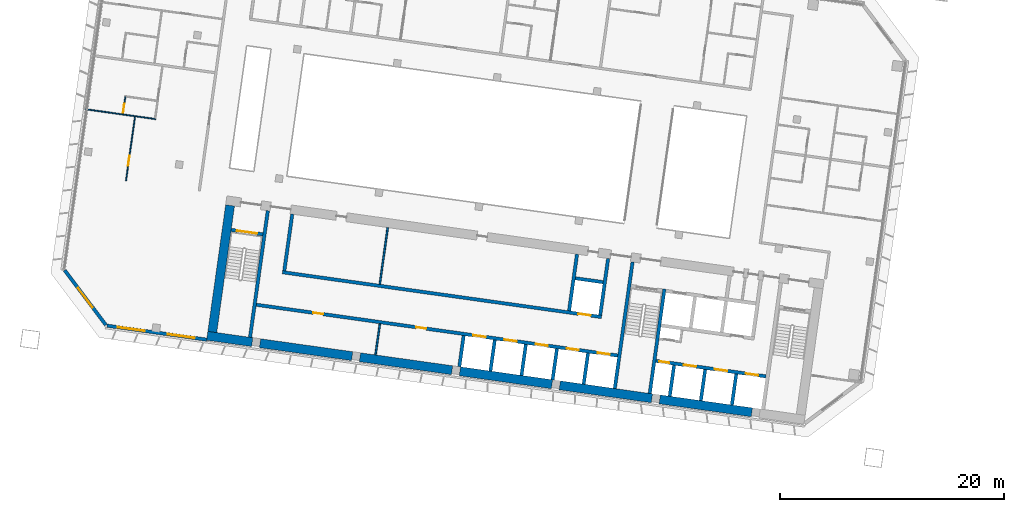
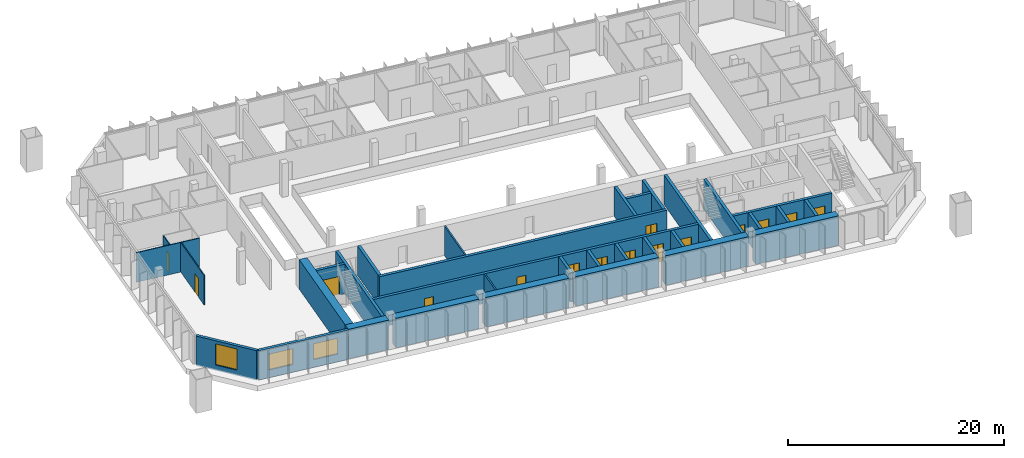
# One storey, part 14 of 27: 33 walls, 15 doors, 3 windows, 18 openings.
"""IFC4 building model written with IfcOpenShell, lengths in metres."""

from ifc_helpers import new_model, si_unit, direction, frame, frame_2d, origin, place, context, subcontext, project, spatial, rectangle, extrude, material, layer, layer_set, type_object, element, fill, save


model = new_model("IFC4")

# Units and contexts
model_context = context("Model", 3, precision=1e-05, world=origin(), true_north=direction((0.0, 1.0)))
body_context = subcontext(model_context, "Body", "Model", "MODEL_VIEW")
ifc_project = project(units=[si_unit("LENGTHUNIT", "METRE"), si_unit("AREAUNIT", "SQUARE_METRE"), si_unit("VOLUMEUNIT", "CUBIC_METRE"), si_unit("PLANEANGLEUNIT", "RADIAN"), si_unit("MASSUNIT", "GRAM", prefix="KILO")], contexts=[model_context])

# Site, building, storey
site_placement = place(None, origin())
site = spatial("IfcSite", under=ifc_project, at=site_placement, CompositionType="ELEMENT")
building_placement = place(site_placement, origin())
building = spatial("IfcBuilding", under=site, at=building_placement, Name="Mirante Cascada Hotel Towers", CompositionType="ELEMENT")
storey_placement = place(building_placement, frame((0.0, 0.0, 117.7)))
storey = spatial("IfcBuildingStorey", under=building, at=storey_placement, Name="L26", CompositionType="ELEMENT", Elevation=117.7)

# Walls
ifc_material_1 = material(Name="Masonry block", Category="masonry")
ifc_layer_1 = layer(ifc_material_1, 0.15)
ifc_layer_set_1 = layer_set([ifc_layer_1], Name="Core room partition 150 block EI 30")
wall_type_1 = type_object("IfcWallType", Name="Core room partition 150 block EI 30", PredefinedType="PARTITIONING", material=ifc_layer_set_1)
wall_1_placement = place(storey_placement, frame((-75.3976, -13.8977, 0.0), z_axis=(0.0, 0.0, 1.0), x_axis=(0.139141, 0.9902726, 0.0)))
element("IfcWall", 1, at=wall_1_placement, inside=storey, type_object=wall_type_1, Name="Core wall partition T1 L26 5", PredefinedType="PARTITIONING", context=body_context, shape_type="SweptSolid", body=[
    extrude(rectangle(XDim=2.8, YDim=0.15, at=frame_2d((1.4, 0.0))), origin(), (0.0, 0.0, 1.0), 3.35),
])
wall_2_placement = place(storey_placement, frame((-75.016, -7.5894, 0.0), z_axis=(0.0, 0.0, 1.0), x_axis=(0.1391755, 0.9902677, 0.0)))
element("IfcWall", 2, at=wall_2_placement, inside=storey, type_object=wall_type_1, Name="Core wall partition T1 L26 6", PredefinedType="PARTITIONING", context=body_context, shape_type="SweptSolid", body=[
    extrude(rectangle(XDim=5.1, YDim=0.15, at=frame_2d((2.55, 0.0))), origin(), (0.0, 0.0, 1.0), 3.35),
])
ifc_material_2 = material(Name="Plasterboard on metal studs")
ifc_layer_2 = layer(ifc_material_2, 0.1)
ifc_layer_set_2 = layer_set([ifc_layer_2], Name="Partition 100")
wall_type_2 = type_object("IfcWallType", Name="Partition 100", PredefinedType="PARTITIONING", material=ifc_layer_set_2)
wall_3_placement = place(storey_placement, frame((-101.2993, 8.0205, 0.0), z_axis=(0.0, 0.0, 1.0), x_axis=(0.990267, -0.139181, 0.0)))
element("IfcWall", 3, at=wall_3_placement, inside=storey, type_object=wall_type_2, Name="Wall 1-L26-04", PredefinedType="PARTITIONING", context=body_context, shape_type="SweptSolid", body=[
    extrude(rectangle(XDim=6.35, YDim=0.1, at=frame_2d((3.175, 0.0))), origin(), (0.0, 0.0, 1.0), 3.35),
])

# Wall, opening, door
wall_4_placement = place(storey_placement, frame((-96.8501, 7.3447, 0.0), z_axis=(0.0, 0.0, 1.0), x_axis=(-0.139164, -0.9902694, 0.0)))
wall_4 = element("IfcWall", 4, at=wall_4_placement, inside=storey, type_object=wall_type_2, Name="Wall 1-L26-60", PredefinedType="PARTITIONING", context=body_context, shape_type="SweptSolid", body=[
    extrude(rectangle(XDim=5.7501, YDim=0.1, at=frame_2d((2.875, 0.0))), origin(), (0.0, 0.0, 1.0), 3.35),
])
opening_1_placement = place(wall_4_placement, frame((3.5167, 0.0, 0.0)))
opening_1 = element("IfcOpeningElement", 5, at=opening_1_placement, cuts=wall_4, Name="Opening D1-L26-39", PredefinedType="OPENING", context=body_context, shape_type="SweptSolid", body=[
    extrude(rectangle(XDim=0.9, YDim=2.1, at=frame_2d((0.45, 1.05))), frame((0.0, 0.05, 0.0), z_axis=(0.0, -1.0, 0.0), x_axis=(1.0, 0.0, 0.0)), (0.0, 0.0, 1.0), 0.1),
])
ifc_material_3 = material(Name="Timber door leaf", Category="wood")
door_type_1 = type_object("IfcDoorType", Name="Room door DG3 900x2100", OperationType="SINGLE_SWING_LEFT", PredefinedType="DOOR", material=ifc_material_3)
door_1_placement = place(opening_1_placement, origin())
door_1 = element("IfcDoor", 6, at=door_1_placement, inside=storey, type_object=door_type_1, Name="Door D1-L26-39", OperationType="SINGLE_SWING_LEFT", OverallHeight=2.1, OverallWidth=0.9, PredefinedType="DOOR", context=body_context, shape_type="SweptSolid", body=[
    extrude(rectangle(XDim=0.9, YDim=2.1, at=frame_2d((0.45, 1.05))), frame((0.0, 0.025, 0.0), z_axis=(0.0, -1.0, 0.0), x_axis=(1.0, 0.0, 0.0)), (0.0, 0.0, 1.0), 0.05),
])
fill(opening_1, door_1)

wall_5_placement = place(storey_placement, frame((-97.712, 9.1152, 0.0), z_axis=(0.0, 0.0, 1.0), x_axis=(-0.1391749, -0.9902678, 0.0)))
wall_5 = element("IfcWall", 7, at=wall_5_placement, inside=storey, type_object=wall_type_2, Name="Wall 1-L26-62", PredefinedType="PARTITIONING", context=body_context, shape_type="SweptSolid", body=[
    extrude(rectangle(XDim=1.5333, YDim=0.1, at=frame_2d((0.7667, 0.0))), origin(), (0.0, 0.0, 1.0), 3.35),
])
opening_2_placement = place(wall_5_placement, frame((0.6333, 0.0, 0.0)))
opening_2 = element("IfcOpeningElement", 8, at=opening_2_placement, cuts=wall_5, Name="Opening D1-L26-41", PredefinedType="OPENING", context=body_context, shape_type="SweptSolid", body=[
    extrude(rectangle(XDim=0.8, YDim=2.1, at=frame_2d((0.4, 1.05))), frame((0.0, 0.05, 0.0), z_axis=(0.0, -1.0, 0.0), x_axis=(1.0, 0.0, 0.0)), (0.0, 0.0, 1.0), 0.1),
])
ifc_material_4 = material(Name="Timber door leaf", Category="wood")
door_type_2 = type_object("IfcDoorType", Name="Bathroom door DG4 800x2100", OperationType="SINGLE_SWING_LEFT", PredefinedType="DOOR", material=ifc_material_4)
door_2_placement = place(opening_2_placement, frame((0.8, 0.0, 0.0), z_axis=(0.0, 0.0, 1.0), x_axis=(-1.0, 0.0, 0.0)))
door_2 = element("IfcDoor", 9, at=door_2_placement, inside=storey, type_object=door_type_2, Name="Door D1-L26-41", OperationType="SINGLE_SWING_RIGHT", OverallHeight=2.1, OverallWidth=0.8, PredefinedType="DOOR", context=body_context, shape_type="SweptSolid", body=[
    extrude(rectangle(XDim=0.8, YDim=2.1, at=frame_2d((0.4, 1.05))), frame((0.0, 0.025, 0.0), z_axis=(0.0, -1.0, 0.0), x_axis=(1.0, 0.0, 0.0)), (0.0, 0.0, 1.0), 0.05),
])
fill(opening_2, door_2)

# Wall, openings, windows
ifc_material_5 = material(Name="Precast concrete C40/50", Category="concrete")
ifc_layer_3 = layer(ifc_material_5, 0.3)
ifc_layer_set_3 = layer_set([ifc_layer_3], Name="Precast concrete C40/50 cladding wall 300")
wall_type_3 = type_object("IfcWallType", Name="Precast concrete C40/50 cladding wall 300", PredefinedType="STANDARD", material=ifc_layer_set_3)
wall_6_placement = place(storey_placement, frame((-90.4551, -12.5388, 0.0), z_axis=(0.0, 0.0, 1.0), x_axis=(-0.9902678, 0.1391749, 0.0)))
wall_6 = element("IfcWall", 10, at=wall_6_placement, inside=storey, type_object=wall_type_3, Name="Rear cladding wall T1 L26 1", PredefinedType="STANDARD", context=body_context, shape_type="SweptSolid", body=[
    extrude(rectangle(XDim=8.9758, YDim=0.3, at=frame_2d((4.4879, 0.0))), origin(), (0.0, 0.0, 1.0), 3.35),
])
opening_3_placement = place(wall_6_placement, frame((1.1012, 0.0, 0.9)))
opening_3 = element("IfcOpeningElement", 11, at=opening_3_placement, cuts=wall_6, Name="Opening W1-26-01", PredefinedType="OPENING", context=body_context, shape_type="SweptSolid", body=[
    extrude(rectangle(XDim=2.4, YDim=1.8, at=frame_2d((1.2, 0.9))), frame((0.0, 0.15, 0.0), z_axis=(0.0, -1.0, 0.0), x_axis=(1.0, 0.0, 0.0)), (0.0, 0.0, 1.0), 0.3),
])
opening_4_placement = place(wall_6_placement, frame((5.5923, 0.0, 0.9)))
opening_4 = element("IfcOpeningElement", 12, at=opening_4_placement, cuts=wall_6, Name="Opening W1-26-02", PredefinedType="OPENING", context=body_context, shape_type="SweptSolid", body=[
    extrude(rectangle(XDim=2.4, YDim=1.8, at=frame_2d((1.2, 0.9))), frame((0.0, 0.15, 0.0), z_axis=(0.0, -1.0, 0.0), x_axis=(1.0, 0.0, 0.0)), (0.0, 0.0, 1.0), 0.3),
])
ifc_material_6 = material(Name="Aluminium frame with clear double glazing", Category="aluminium")
window_type_1 = type_object("IfcWindowType", Name="Punched window 2400x1800", PartitioningType="DOUBLE_PANEL_VERTICAL", PredefinedType="WINDOW", material=ifc_material_6)
window_1_placement = place(opening_3_placement, origin())
window_1 = element("IfcWindow", 13, at=window_1_placement, inside=storey, type_object=window_type_1, Name="Window W1-26-01", OverallHeight=1.8, OverallWidth=2.4, PartitioningType="SINGLE_PANEL", PredefinedType="WINDOW", context=body_context, shape_type="SweptSolid", body=[
    extrude(rectangle(XDim=2.4, YDim=1.8, at=frame_2d((1.2, 0.9))), frame((0.0, 0.03, 0.0), z_axis=(0.0, -1.0, 0.0), x_axis=(1.0, 0.0, 0.0)), (0.0, 0.0, 1.0), 0.06),
])
fill(opening_3, window_1)
window_2_placement = place(opening_4_placement, origin())
window_2 = element("IfcWindow", 14, at=window_2_placement, inside=storey, type_object=window_type_1, Name="Window W1-26-02", OverallHeight=1.8, OverallWidth=2.4, PartitioningType="SINGLE_PANEL", PredefinedType="WINDOW", context=body_context, shape_type="SweptSolid", body=[
    extrude(rectangle(XDim=2.4, YDim=1.8, at=frame_2d((1.2, 0.9))), frame((0.0, 0.03, 0.0), z_axis=(0.0, -1.0, 0.0), x_axis=(1.0, 0.0, 0.0)), (0.0, 0.0, 1.0), 0.06),
])
fill(opening_4, window_2)

# Wall, opening, window
wall_7_placement = place(storey_placement, frame((-99.4424, -11.2313, 0.0), z_axis=(0.0, 0.0, 1.0), x_axis=(-0.6018194, 0.7986322, 0.0)))
wall_7 = element("IfcWall", 15, at=wall_7_placement, inside=storey, type_object=wall_type_3, Name="Corner cladding wall T1 L26 rear outer", PredefinedType="STANDARD", context=body_context, shape_type="SweptSolid", body=[
    extrude(rectangle(XDim=6.1155, YDim=0.3, at=frame_2d((3.0578, 0.0))), origin(), (0.0, 0.0, 1.0), 3.35),
])
opening_5_placement = place(wall_7_placement, frame((1.9576, 0.0, 0.6)))
opening_5 = element("IfcOpeningElement", 16, at=opening_5_placement, cuts=wall_7, Name="Opening W1-26-03", PredefinedType="OPENING", context=body_context, shape_type="SweptSolid", body=[
    extrude(rectangle(XDim=2.2, YDim=2.4, at=frame_2d((1.1, 1.2))), frame((0.0, 0.15, 0.0), z_axis=(0.0, -1.0, 0.0), x_axis=(1.0, 0.0, 0.0)), (0.0, 0.0, 1.0), 0.3),
])
ifc_material_7 = material(Name="Aluminium frame with clear double glazing", Category="aluminium")
window_type_2 = type_object("IfcWindowType", Name="Corner suite window 2200x2400", PartitioningType="DOUBLE_PANEL_VERTICAL", PredefinedType="WINDOW", material=ifc_material_7)
window_3_placement = place(opening_5_placement, origin())
window_3 = element("IfcWindow", 17, at=window_3_placement, inside=storey, type_object=window_type_2, Name="Window W1-26-03", OverallHeight=2.4, OverallWidth=2.2, PartitioningType="SINGLE_PANEL", PredefinedType="WINDOW", context=body_context, shape_type="SweptSolid", body=[
    extrude(rectangle(XDim=2.2, YDim=2.4, at=frame_2d((1.1, 1.2))), frame((0.0, 0.03, 0.0), z_axis=(0.0, -1.0, 0.0), x_axis=(1.0, 0.0, 0.0)), (0.0, 0.0, 1.0), 0.06),
])
fill(opening_5, window_3)

# Walls
ifc_material_8 = material(Name="Concrete C50/60", Category="concrete")
ifc_layer_4 = layer(ifc_material_8, 0.3)
ifc_layer_set_4 = layer_set([ifc_layer_4], Name="RC core wall 300 C50/60")
wall_type_4 = type_object("IfcWallType", Name="RC core wall 300 C50/60", PredefinedType="SHEAR", material=ifc_layer_set_4)
wall_8_placement = place(storey_placement, frame((-50.938, -17.3352, 0.0), z_axis=(0.0, 0.0, 1.0), x_axis=(0.1391706, 0.9902684, 0.0)))
element("IfcWall", 18, at=wall_8_placement, inside=storey, type_object=wall_type_4, Name="Core wall T1:L26:6", PredefinedType="SHEAR", context=body_context, shape_type="SweptSolid", body=[
    extrude(rectangle(XDim=9.4, YDim=0.3, at=frame_2d((4.7, 0.0))), origin(), (0.0, 0.0, 1.0), 3.35),
])
wall_9_placement = place(storey_placement, frame((-54.0574, -16.8968, 0.0), z_axis=(0.0, 0.0, 1.0), x_axis=(0.1391761, 0.9902677, 0.0)))
element("IfcWall", 19, at=wall_9_placement, inside=storey, type_object=wall_type_4, Name="Core wall T1:L26:7", PredefinedType="SHEAR", context=body_context, shape_type="SweptSolid", body=[
    extrude(rectangle(XDim=11.3999, YDim=0.3, at=frame_2d((5.7, 0.0))), origin(), (0.0, 0.0, 1.0), 3.35),
])
wall_10_placement = place(storey_placement, frame((-86.5877, -12.325, 0.0), z_axis=(0.0, 0.0, 1.0), x_axis=(0.1391749, 0.9902678, 0.0)))
element("IfcWall", 20, at=wall_10_placement, inside=storey, type_object=wall_type_4, Name="Core wall T1:L26:8", PredefinedType="SHEAR", context=body_context, shape_type="SweptSolid", body=[
    extrude(rectangle(XDim=11.4, YDim=0.3, at=frame_2d((5.7, 0.0))), origin(), (0.0, 0.0, 1.0), 3.35),
])

# Wall, opening, door
wall_11_placement = place(storey_placement, frame((-85.4489, -3.1441, 0.0), z_axis=(0.0, 0.0, 1.0), x_axis=(-0.9902697, 0.1391613, 0.0)))
wall_11 = element("IfcWall", 21, at=wall_11_placement, inside=storey, type_object=wall_type_4, Name="Core wall T1:L26:11", PredefinedType="SHEAR", context=body_context, shape_type="SweptSolid", body=[
    extrude(rectangle(XDim=2.8499, YDim=0.3, at=frame_2d((1.425, 0.0))), origin(), (0.0, 0.0, 1.0), 3.35),
])
opening_6_placement = place(wall_11_placement, frame((0.525, 0.0, 0.0)))
opening_6 = element("IfcOpeningElement", 22, at=opening_6_placement, cuts=wall_11, Name="Opening D1-26-C17", PredefinedType="OPENING", context=body_context, shape_type="SweptSolid", body=[
    extrude(rectangle(XDim=1.8, YDim=2.1, at=frame_2d((0.9, 1.05))), frame((0.0, 0.15, 0.0), z_axis=(0.0, -1.0, 0.0), x_axis=(1.0, 0.0, 0.0)), (0.0, 0.0, 1.0), 0.3),
])
ifc_material_9 = material(Name="Hollow metal fire door leaf")
door_type_3 = type_object("IfcDoorType", Name="Double fire door 1800x2100 FD60", OperationType="DOUBLE_DOOR_SINGLE_SWING", PredefinedType="DOOR", material=ifc_material_9)
door_3_placement = place(opening_6_placement, origin())
door_3 = element("IfcDoor", 23, at=door_3_placement, inside=storey, type_object=door_type_3, Name="Stair door T1 L26 17", OperationType="DOUBLE_DOOR_SINGLE_SWING", OverallHeight=2.1, OverallWidth=1.8, PredefinedType="DOOR", context=body_context, shape_type="SweptSolid", body=[
    extrude(rectangle(XDim=0.895, YDim=2.1, at=frame_2d((0.4475, 1.05))), frame((0.0, 0.025, 0.0), z_axis=(0.0, -1.0, 0.0), x_axis=(1.0, 0.0, 0.0)), (0.0, 0.0, 1.0), 0.05),
    extrude(rectangle(XDim=0.895, YDim=2.1, at=frame_2d((1.3525, 1.05))), frame((0.0, 0.025, 0.0), z_axis=(0.0, -1.0, 0.0), x_axis=(1.0, 0.0, 0.0)), (0.0, 0.0, 1.0), 0.05),
])
fill(opening_6, door_3)

# Wall, openings, doors
wall_12_placement = place(storey_placement, frame((-40.5753, -15.8126, 0.0), z_axis=(0.0, 0.0, 1.0), x_axis=(-0.9902682, 0.1391725, 0.0)))
wall_12 = element("IfcWall", 24, at=wall_12_placement, inside=storey, type_object=wall_type_4, Name="Core wall T1:L26:12", PredefinedType="SHEAR", context=body_context, shape_type="SweptSolid", body=[
    extrude(rectangle(XDim=9.8999, YDim=0.3, at=frame_2d((4.95, 0.0))), origin(), (0.0, 0.0, 1.0), 3.35),
])
opening_7_placement = place(wall_12_placement, frame((0.7, 0.0, 0.0)))
opening_7 = element("IfcOpeningElement", 25, at=opening_7_placement, cuts=wall_12, Name="Opening LD", PredefinedType="OPENING", context=body_context, shape_type="SweptSolid", body=[
    extrude(rectangle(XDim=1.1, YDim=2.1, at=frame_2d((0.55, 1.05))), frame((0.0, 0.15, 0.0), z_axis=(0.0, -1.0, 0.0), x_axis=(1.0, 0.0, 0.0)), (0.0, 0.0, 1.0), 0.3),
])
opening_8_placement = place(wall_12_placement, frame((3.5, 0.0, 0.0)))
opening_8 = element("IfcOpeningElement", 26, at=opening_8_placement, cuts=wall_12, Name="Opening LD", PredefinedType="OPENING", context=body_context, shape_type="SweptSolid", body=[
    extrude(rectangle(XDim=1.1, YDim=2.1, at=frame_2d((0.55, 1.05))), frame((0.0, 0.15, 0.0), z_axis=(0.0, -1.0, 0.0), x_axis=(1.0, 0.0, 0.0)), (0.0, 0.0, 1.0), 0.3),
])
opening_9_placement = place(wall_12_placement, frame((6.3, 0.0, 0.0)))
opening_9 = element("IfcOpeningElement", 27, at=opening_9_placement, cuts=wall_12, Name="Opening LD", PredefinedType="OPENING", context=body_context, shape_type="SweptSolid", body=[
    extrude(rectangle(XDim=1.1, YDim=2.1, at=frame_2d((0.55, 1.05))), frame((0.0, 0.15, 0.0), z_axis=(0.0, -1.0, 0.0), x_axis=(1.0, 0.0, 0.0)), (0.0, 0.0, 1.0), 0.3),
])
opening_10_placement = place(wall_12_placement, frame((8.7, 0.0, 0.0)))
opening_10 = element("IfcOpeningElement", 28, at=opening_10_placement, cuts=wall_12, Name="Opening D1-26-C22", PredefinedType="OPENING", context=body_context, shape_type="SweptSolid", body=[
    extrude(rectangle(XDim=0.9, YDim=2.1, at=frame_2d((0.45, 1.05))), frame((0.0, 0.15, 0.0), z_axis=(0.0, -1.0, 0.0), x_axis=(1.0, 0.0, 0.0)), (0.0, 0.0, 1.0), 0.3),
])
ifc_material_10 = material(Name="Hollow metal fire door leaf")
door_type_4 = type_object("IfcDoorType", Name="Fire door 900x2100 FD60", OperationType="NOTDEFINED", PredefinedType="DOOR", material=ifc_material_10)
door_4_placement = place(opening_10_placement, origin())
door_4 = element("IfcDoor", 29, at=door_4_placement, inside=storey, type_object=door_type_4, Name="Riser door T1 L26 22", OperationType="SINGLE_SWING_LEFT", OverallHeight=2.1, OverallWidth=0.9, PredefinedType="DOOR", context=body_context, shape_type="SweptSolid", body=[
    extrude(rectangle(XDim=0.9, YDim=2.1, at=frame_2d((0.45, 1.05))), frame((0.0, 0.025, 0.0), z_axis=(0.0, -1.0, 0.0), x_axis=(1.0, 0.0, 0.0)), (0.0, 0.0, 1.0), 0.05),
])
fill(opening_10, door_4)
ifc_material_11 = material(Name="Stainless steel", Category="steel")
door_type_5 = type_object("IfcDoorType", Name="Lift landing door 1100x2100 EI 120", OperationType="DOUBLE_DOOR_SLIDING", PredefinedType="DOOR", material=ifc_material_11)
door_5_placement = place(opening_7_placement, origin())
door_5 = element("IfcDoor", 30, at=door_5_placement, inside=storey, type_object=door_type_5, Name="Lift landing door HR1-1 L26", OperationType="DOUBLE_DOOR_SLIDING", OverallHeight=2.1, OverallWidth=1.1, PredefinedType="DOOR", context=body_context, shape_type="SweptSolid", body=[
    extrude(rectangle(XDim=0.545, YDim=2.1, at=frame_2d((0.2725, 1.05))), frame((0.0, 0.025, 0.0), z_axis=(0.0, -1.0, 0.0), x_axis=(1.0, 0.0, 0.0)), (0.0, 0.0, 1.0), 0.05),
    extrude(rectangle(XDim=0.545, YDim=2.1, at=frame_2d((0.8275, 1.05))), frame((0.0, 0.025, 0.0), z_axis=(0.0, -1.0, 0.0), x_axis=(1.0, 0.0, 0.0)), (0.0, 0.0, 1.0), 0.05),
])
fill(opening_7, door_5)
door_6_placement = place(opening_8_placement, origin())
door_6 = element("IfcDoor", 31, at=door_6_placement, inside=storey, type_object=door_type_5, Name="Lift landing door HR1-2 L26", OperationType="DOUBLE_DOOR_SLIDING", OverallHeight=2.1, OverallWidth=1.1, PredefinedType="DOOR", context=body_context, shape_type="SweptSolid", body=[
    extrude(rectangle(XDim=0.545, YDim=2.1, at=frame_2d((0.2725, 1.05))), frame((0.0, 0.025, 0.0), z_axis=(0.0, -1.0, 0.0), x_axis=(1.0, 0.0, 0.0)), (0.0, 0.0, 1.0), 0.05),
    extrude(rectangle(XDim=0.545, YDim=2.1, at=frame_2d((0.8275, 1.05))), frame((0.0, 0.025, 0.0), z_axis=(0.0, -1.0, 0.0), x_axis=(1.0, 0.0, 0.0)), (0.0, 0.0, 1.0), 0.05),
])
fill(opening_8, door_6)
door_7_placement = place(opening_9_placement, origin())
door_7 = element("IfcDoor", 32, at=door_7_placement, inside=storey, type_object=door_type_5, Name="Lift landing door HR1-3 L26", OperationType="DOUBLE_DOOR_SLIDING", OverallHeight=2.1, OverallWidth=1.1, PredefinedType="DOOR", context=body_context, shape_type="SweptSolid", body=[
    extrude(rectangle(XDim=0.545, YDim=2.1, at=frame_2d((0.2725, 1.05))), frame((0.0, 0.025, 0.0), z_axis=(0.0, -1.0, 0.0), x_axis=(1.0, 0.0, 0.0)), (0.0, 0.0, 1.0), 0.05),
    extrude(rectangle(XDim=0.545, YDim=2.1, at=frame_2d((0.8275, 1.05))), frame((0.0, 0.025, 0.0), z_axis=(0.0, -1.0, 0.0), x_axis=(1.0, 0.0, 0.0)), (0.0, 0.0, 1.0), 0.05),
])
fill(opening_9, door_7)

# Walls
wall_13_placement = place(storey_placement, frame((-43.61, -18.3651, 0.0), z_axis=(0.0, 0.0, 1.0), x_axis=(0.1391459, 0.9902719, 0.0)))
element("IfcWall", 33, at=wall_13_placement, inside=storey, type_object=wall_type_4, Name="Core wall T1:L26:15", PredefinedType="SHEAR", context=body_context, shape_type="SweptSolid", body=[
    extrude(rectangle(XDim=2.7999, YDim=0.3, at=frame_2d((1.4, 0.0))), origin(), (0.0, 0.0, 1.0), 3.35),
])
wall_14_placement = place(storey_placement, frame((-46.3828, -17.9754, 0.0), z_axis=(0.0, 0.0, 1.0), x_axis=(0.139181, 0.990267, 0.0)))
element("IfcWall", 34, at=wall_14_placement, inside=storey, type_object=wall_type_4, Name="Core wall T1:L26:16", PredefinedType="SHEAR", context=body_context, shape_type="SweptSolid", body=[
    extrude(rectangle(XDim=2.8, YDim=0.3, at=frame_2d((1.4, 0.0))), origin(), (0.0, 0.0, 1.0), 3.35),
])
wall_15_placement = place(storey_placement, frame((-49.1555, -17.5857, 0.0), z_axis=(0.0, 0.0, 1.0), x_axis=(0.1391459, 0.9902719, 0.0)))
element("IfcWall", 35, at=wall_15_placement, inside=storey, type_object=wall_type_4, Name="Core wall T1:L26:17", PredefinedType="SHEAR", context=body_context, shape_type="SweptSolid", body=[
    extrude(rectangle(XDim=2.7999, YDim=0.3, at=frame_2d((1.4, 0.0))), origin(), (0.0, 0.0, 1.0), 3.35),
])

# Wall, openings, doors
wall_16_placement = place(storey_placement, frame((-53.7953, -13.9547, 0.0), z_axis=(0.0, 0.0, 1.0), x_axis=(-0.990268, 0.1391733, 0.0)))
wall_16 = element("IfcWall", 36, at=wall_16_placement, inside=storey, type_object=wall_type_4, Name="Core wall T1:L26:25", PredefinedType="SHEAR", context=body_context, shape_type="SweptSolid", body=[
    extrude(rectangle(XDim=32.5501, YDim=0.3, at=frame_2d((16.275, 0.0))), origin(), (0.0, 0.0, 1.0), 3.35),
])
opening_11_placement = place(wall_16_placement, frame((0.7, 0.0, 0.0)))
opening_11 = element("IfcOpeningElement", 37, at=opening_11_placement, cuts=wall_16, Name="Opening LD", PredefinedType="OPENING", context=body_context, shape_type="SweptSolid", body=[
    extrude(rectangle(XDim=1.1, YDim=2.1, at=frame_2d((0.55, 1.05))), frame((0.0, 0.15, 0.0), z_axis=(0.0, -1.0, 0.0), x_axis=(1.0, 0.0, 0.0)), (0.0, 0.0, 1.0), 0.3),
])
opening_12_placement = place(wall_16_placement, frame((3.5, 0.0, 0.0)))
opening_12 = element("IfcOpeningElement", 38, at=opening_12_placement, cuts=wall_16, Name="Opening LD", PredefinedType="OPENING", context=body_context, shape_type="SweptSolid", body=[
    extrude(rectangle(XDim=1.1, YDim=2.1, at=frame_2d((0.55, 1.05))), frame((0.0, 0.15, 0.0), z_axis=(0.0, -1.0, 0.0), x_axis=(1.0, 0.0, 0.0)), (0.0, 0.0, 1.0), 0.3),
])
opening_13_placement = place(wall_16_placement, frame((6.3, 0.0, 0.0)))
opening_13 = element("IfcOpeningElement", 39, at=opening_13_placement, cuts=wall_16, Name="Opening LD", PredefinedType="OPENING", context=body_context, shape_type="SweptSolid", body=[
    extrude(rectangle(XDim=1.1, YDim=2.1, at=frame_2d((0.55, 1.05))), frame((0.0, 0.15, 0.0), z_axis=(0.0, -1.0, 0.0), x_axis=(1.0, 0.0, 0.0)), (0.0, 0.0, 1.0), 0.3),
])
opening_14_placement = place(wall_16_placement, frame((9.1, 0.0, 0.0)))
opening_14 = element("IfcOpeningElement", 40, at=opening_14_placement, cuts=wall_16, Name="Opening LD", PredefinedType="OPENING", context=body_context, shape_type="SweptSolid", body=[
    extrude(rectangle(XDim=1.1, YDim=2.1, at=frame_2d((0.55, 1.05))), frame((0.0, 0.15, 0.0), z_axis=(0.0, -1.0, 0.0), x_axis=(1.0, 0.0, 0.0)), (0.0, 0.0, 1.0), 0.3),
])
opening_15_placement = place(wall_16_placement, frame((11.9, 0.0, 0.0)))
opening_15 = element("IfcOpeningElement", 41, at=opening_15_placement, cuts=wall_16, Name="Opening LD", PredefinedType="OPENING", context=body_context, shape_type="SweptSolid", body=[
    extrude(rectangle(XDim=1.1, YDim=2.1, at=frame_2d((0.55, 1.05))), frame((0.0, 0.15, 0.0), z_axis=(0.0, -1.0, 0.0), x_axis=(1.0, 0.0, 0.0)), (0.0, 0.0, 1.0), 0.3),
])
opening_16_placement = place(wall_16_placement, frame((17.25, 0.0, 0.0)))
opening_16 = element("IfcOpeningElement", 42, at=opening_16_placement, cuts=wall_16, Name="Opening D1-26-C26", PredefinedType="OPENING", context=body_context, shape_type="SweptSolid", body=[
    extrude(rectangle(XDim=0.9, YDim=2.1, at=frame_2d((0.45, 1.05))), frame((0.0, 0.15, 0.0), z_axis=(0.0, -1.0, 0.0), x_axis=(1.0, 0.0, 0.0)), (0.0, 0.0, 1.0), 0.3),
])
opening_17_placement = place(wall_16_placement, frame((26.525, 0.0, 0.0)))
opening_17 = element("IfcOpeningElement", 43, at=opening_17_placement, cuts=wall_16, Name="Opening D1-26-C27", PredefinedType="OPENING", context=body_context, shape_type="SweptSolid", body=[
    extrude(rectangle(XDim=0.9, YDim=2.1, at=frame_2d((0.45, 1.05))), frame((0.0, 0.15, 0.0), z_axis=(0.0, -1.0, 0.0), x_axis=(1.0, 0.0, 0.0)), (0.0, 0.0, 1.0), 0.3),
])
door_8_placement = place(opening_16_placement, origin())
door_8 = element("IfcDoor", 44, at=door_8_placement, inside=storey, type_object=door_type_4, Name="Room door T1 L26 26", OperationType="SINGLE_SWING_LEFT", OverallHeight=2.1, OverallWidth=0.9, PredefinedType="DOOR", context=body_context, shape_type="SweptSolid", body=[
    extrude(rectangle(XDim=0.9, YDim=2.1, at=frame_2d((0.45, 1.05))), frame((0.0, 0.025, 0.0), z_axis=(0.0, -1.0, 0.0), x_axis=(1.0, 0.0, 0.0)), (0.0, 0.0, 1.0), 0.05),
])
fill(opening_16, door_8)
door_9_placement = place(opening_17_placement, origin())
door_9 = element("IfcDoor", 45, at=door_9_placement, inside=storey, type_object=door_type_4, Name="Room door T1 L26 27", OperationType="SINGLE_SWING_LEFT", OverallHeight=2.1, OverallWidth=0.9, PredefinedType="DOOR", context=body_context, shape_type="SweptSolid", body=[
    extrude(rectangle(XDim=0.9, YDim=2.1, at=frame_2d((0.45, 1.05))), frame((0.0, 0.025, 0.0), z_axis=(0.0, -1.0, 0.0), x_axis=(1.0, 0.0, 0.0)), (0.0, 0.0, 1.0), 0.05),
])
fill(opening_17, door_9)
door_10_placement = place(opening_11_placement, origin())
door_10 = element("IfcDoor", 46, at=door_10_placement, inside=storey, type_object=door_type_5, Name="Lift landing door LR1-1 L26", OperationType="DOUBLE_DOOR_SLIDING", OverallHeight=2.1, OverallWidth=1.1, PredefinedType="DOOR", context=body_context, shape_type="SweptSolid", body=[
    extrude(rectangle(XDim=0.545, YDim=2.1, at=frame_2d((0.2725, 1.05))), frame((0.0, 0.025, 0.0), z_axis=(0.0, -1.0, 0.0), x_axis=(1.0, 0.0, 0.0)), (0.0, 0.0, 1.0), 0.05),
    extrude(rectangle(XDim=0.545, YDim=2.1, at=frame_2d((0.8275, 1.05))), frame((0.0, 0.025, 0.0), z_axis=(0.0, -1.0, 0.0), x_axis=(1.0, 0.0, 0.0)), (0.0, 0.0, 1.0), 0.05),
])
fill(opening_11, door_10)
door_11_placement = place(opening_12_placement, origin())
door_11 = element("IfcDoor", 47, at=door_11_placement, inside=storey, type_object=door_type_5, Name="Lift landing door LR1-2 L26", OperationType="DOUBLE_DOOR_SLIDING", OverallHeight=2.1, OverallWidth=1.1, PredefinedType="DOOR", context=body_context, shape_type="SweptSolid", body=[
    extrude(rectangle(XDim=0.545, YDim=2.1, at=frame_2d((0.2725, 1.05))), frame((0.0, 0.025, 0.0), z_axis=(0.0, -1.0, 0.0), x_axis=(1.0, 0.0, 0.0)), (0.0, 0.0, 1.0), 0.05),
    extrude(rectangle(XDim=0.545, YDim=2.1, at=frame_2d((0.8275, 1.05))), frame((0.0, 0.025, 0.0), z_axis=(0.0, -1.0, 0.0), x_axis=(1.0, 0.0, 0.0)), (0.0, 0.0, 1.0), 0.05),
])
fill(opening_12, door_11)
door_12_placement = place(opening_13_placement, origin())
door_12 = element("IfcDoor", 48, at=door_12_placement, inside=storey, type_object=door_type_5, Name="Lift landing door SV1-1 L26", OperationType="DOUBLE_DOOR_SLIDING", OverallHeight=2.1, OverallWidth=1.1, PredefinedType="DOOR", context=body_context, shape_type="SweptSolid", body=[
    extrude(rectangle(XDim=0.545, YDim=2.1, at=frame_2d((0.2725, 1.05))), frame((0.0, 0.025, 0.0), z_axis=(0.0, -1.0, 0.0), x_axis=(1.0, 0.0, 0.0)), (0.0, 0.0, 1.0), 0.05),
    extrude(rectangle(XDim=0.545, YDim=2.1, at=frame_2d((0.8275, 1.05))), frame((0.0, 0.025, 0.0), z_axis=(0.0, -1.0, 0.0), x_axis=(1.0, 0.0, 0.0)), (0.0, 0.0, 1.0), 0.05),
])
fill(opening_13, door_12)
door_13_placement = place(opening_14_placement, origin())
door_13 = element("IfcDoor", 49, at=door_13_placement, inside=storey, type_object=door_type_5, Name="Lift landing door SV1-2 L26", OperationType="DOUBLE_DOOR_SLIDING", OverallHeight=2.1, OverallWidth=1.1, PredefinedType="DOOR", context=body_context, shape_type="SweptSolid", body=[
    extrude(rectangle(XDim=0.545, YDim=2.1, at=frame_2d((0.2725, 1.05))), frame((0.0, 0.025, 0.0), z_axis=(0.0, -1.0, 0.0), x_axis=(1.0, 0.0, 0.0)), (0.0, 0.0, 1.0), 0.05),
    extrude(rectangle(XDim=0.545, YDim=2.1, at=frame_2d((0.8275, 1.05))), frame((0.0, 0.025, 0.0), z_axis=(0.0, -1.0, 0.0), x_axis=(1.0, 0.0, 0.0)), (0.0, 0.0, 1.0), 0.05),
])
fill(opening_14, door_13)
door_14_placement = place(opening_15_placement, origin())
door_14 = element("IfcDoor", 50, at=door_14_placement, inside=storey, type_object=door_type_5, Name="Lift landing door SV1-3 L26", OperationType="DOUBLE_DOOR_SLIDING", OverallHeight=2.1, OverallWidth=1.1, PredefinedType="DOOR", context=body_context, shape_type="SweptSolid", body=[
    extrude(rectangle(XDim=0.545, YDim=2.1, at=frame_2d((0.2725, 1.05))), frame((0.0, 0.025, 0.0), z_axis=(0.0, -1.0, 0.0), x_axis=(1.0, 0.0, 0.0)), (0.0, 0.0, 1.0), 0.05),
    extrude(rectangle(XDim=0.545, YDim=2.1, at=frame_2d((0.8275, 1.05))), frame((0.0, 0.025, 0.0), z_axis=(0.0, -1.0, 0.0), x_axis=(1.0, 0.0, 0.0)), (0.0, 0.0, 1.0), 0.05),
])
fill(opening_15, door_14)

# Walls
for number, where, z_axis, x_axis, name in (
    (51, (-56.8301, -16.5072, 0.0), (0.0, 0.0, 1.0), (0.139176, 0.9902677, 0.0), "Core wall T1:L26:26"),
    (52, (-59.6029, -16.1175, 0.0), (0.0, 0.0, 1.0), (0.139176, 0.9902677, 0.0), "Core wall T1:L26:27"),
    (53, (-62.3756, -15.7278, 0.0), (0.0, 0.0, 1.0), (0.139176, 0.9902677, 0.0), "Core wall T1:L26:28"),
    (54, (-65.1484, -15.3381, 0.0), (0.0, 0.0, 1.0), (0.139176, 0.9902677, 0.0), "Core wall T1:L26:29"),
):
    element("IfcWall", number, at=place(storey_placement, frame(where, z_axis=z_axis, x_axis=x_axis)), inside=storey, type_object=wall_type_4, Name=name, PredefinedType="SHEAR", context=body_context, shape_type="SweptSolid", body=[
        extrude(rectangle(XDim=2.8001, YDim=0.3, at=frame_2d((1.4, 0.0))), origin(), (0.0, 0.0, 1.0), 3.35),
    ])
wall_17_placement = place(storey_placement, frame((-67.9211, -14.9484, 0.0), z_axis=(0.0, 0.0, 1.0), x_axis=(0.139181, 0.990267, 0.0)))
element("IfcWall", 55, at=wall_17_placement, inside=storey, type_object=wall_type_4, Name="Core wall T1:L26:30", PredefinedType="SHEAR", context=body_context, shape_type="SweptSolid", body=[
    extrude(rectangle(XDim=2.8, YDim=0.3, at=frame_2d((1.4, 0.0))), origin(), (0.0, 0.0, 1.0), 3.35),
])

# Wall, opening, door
wall_18_placement = place(storey_placement, frame((-55.2315, -10.5214, 0.0), z_axis=(0.0, 0.0, 1.0), x_axis=(-0.9902682, 0.1391722, 0.0)))
wall_18 = element("IfcWall", 56, at=wall_18_placement, inside=storey, type_object=wall_type_4, Name="Core wall T1:L26:32", PredefinedType="SHEAR", context=body_context, shape_type="SweptSolid", body=[
    extrude(rectangle(XDim=28.75, YDim=0.3, at=frame_2d((14.375, 0.0))), origin(), (0.0, 0.0, 1.0), 3.35),
])
opening_18_placement = place(wall_18_placement, frame((1.0, 0.0, 0.0)))
opening_18 = element("IfcOpeningElement", 57, at=opening_18_placement, cuts=wall_18, Name="Opening LD", PredefinedType="OPENING", context=body_context, shape_type="SweptSolid", body=[
    extrude(rectangle(XDim=1.1, YDim=2.1, at=frame_2d((0.55, 1.05))), frame((0.0, 0.15, 0.0), z_axis=(0.0, -1.0, 0.0), x_axis=(1.0, 0.0, 0.0)), (0.0, 0.0, 1.0), 0.3),
])
door_15_placement = place(opening_18_placement, origin())
door_15 = element("IfcDoor", 58, at=door_15_placement, inside=storey, type_object=door_type_5, Name="Lift landing door LR1-3 L26", OperationType="DOUBLE_DOOR_SLIDING", OverallHeight=2.1, OverallWidth=1.1, PredefinedType="DOOR", context=body_context, shape_type="SweptSolid", body=[
    extrude(rectangle(XDim=0.545, YDim=2.1, at=frame_2d((0.2725, 1.05))), frame((0.0, 0.025, 0.0), z_axis=(0.0, -1.0, 0.0), x_axis=(1.0, 0.0, 0.0)), (0.0, 0.0, 1.0), 0.05),
    extrude(rectangle(XDim=0.545, YDim=2.1, at=frame_2d((0.8275, 1.05))), frame((0.0, 0.025, 0.0), z_axis=(0.0, -1.0, 0.0), x_axis=(1.0, 0.0, 0.0)), (0.0, 0.0, 1.0), 0.05),
])
fill(opening_18, door_15)

# Walls
for number, where, z_axis, x_axis, name in (
    (59, (-55.3592, -10.352, 0.0), (0.0, 0.0, 1.0), (0.1391755, 0.9902677, 0.0), "Core wall T1:L26:33"),
    (60, (-83.5323, -6.3925, 0.0), (0.0, 0.0, 1.0), (0.1391755, 0.9902677, 0.0), "Core wall T1:L26:34"),
    (61, (-58.1319, -9.9623, 0.0), (0.0, 0.0, 1.0), (0.1391755, 0.9902677, 0.0), "Core wall T1:L26:35"),
):
    element("IfcWall", number, at=place(storey_placement, frame(where, z_axis=z_axis, x_axis=x_axis)), inside=storey, type_object=wall_type_4, Name=name, PredefinedType="SHEAR", context=body_context, shape_type="SweptSolid", body=[
        extrude(rectangle(XDim=5.1, YDim=0.3, at=frame_2d((2.55, 0.0))), origin(), (0.0, 0.0, 1.0), 3.35),
    ])
wall_19_placement = place(storey_placement, frame((-55.0971, -7.4098, 0.0), z_axis=(0.0, 0.0, 1.0), x_axis=(-0.9902701, 0.1391586, 0.0)))
element("IfcWall", 62, at=wall_19_placement, inside=storey, type_object=wall_type_4, Name="Core wall T1:L26:36", PredefinedType="SHEAR", context=body_context, shape_type="SweptSolid", body=[
    extrude(rectangle(XDim=2.5, YDim=0.3, at=frame_2d((1.25, 0.0))), origin(), (0.0, 0.0, 1.0), 3.35),
])
ifc_material_12 = material(Name="Concrete C50/60", Category="concrete")
ifc_layer_5 = layer(ifc_material_12, 0.8)
ifc_layer_set_5 = layer_set([ifc_layer_5], Name="RC core wall 800 C50/60")
wall_type_5 = type_object("IfcWallType", Name="RC core wall 800 C50/60", PredefinedType="SHEAR", material=ifc_layer_set_5)
for number, where, z_axis, x_axis, name in (
    (63, (-41.8337, -19.0187, 0.0), (0.0, 0.0, 1.0), (-0.9902686, 0.1391692, 0.0), "Core wall T1:L26:1.2"),
    (64, (-50.7461, -17.7661, 0.0), (0.0, 0.0, 1.0), (-0.9902686, 0.1391692, 0.0), "Core wall T1:L26:1.3"),
):
    element("IfcWall", number, at=place(storey_placement, frame(where, z_axis=z_axis, x_axis=x_axis)), inside=storey, type_object=wall_type_5, Name=name, PredefinedType="SHEAR", context=body_context, shape_type="SweptSolid", body=[
        extrude(rectangle(XDim=8.3, YDim=0.8, at=frame_2d((4.15, 0.0))), origin(), (0.0, 0.0, 1.0), 3.35),
    ])
for number, where, z_axis, x_axis, name in (
    (65, (-59.6585, -16.5136, 0.0), (0.0, 0.0, 1.0), (-0.9902672, 0.1391793, 0.0), "Core wall T1:L26:1.4"),
    (66, (-68.5709, -15.261, 0.0), (0.0, 0.0, 1.0), (-0.9902689, 0.1391675, 0.0), "Core wall T1:L26:1.5"),
):
    element("IfcWall", number, at=place(storey_placement, frame(where, z_axis=z_axis, x_axis=x_axis)), inside=storey, type_object=wall_type_5, Name=name, PredefinedType="SHEAR", context=body_context, shape_type="SweptSolid", body=[
        extrude(rectangle(XDim=8.3001, YDim=0.8, at=frame_2d((4.15, 0.0))), origin(), (0.0, 0.0, 1.0), 3.35),
    ])
wall_20_placement = place(storey_placement, frame((-77.4834, -14.0085, 0.0), z_axis=(0.0, 0.0, 1.0), x_axis=(-0.990267, 0.139181, 0.0)))
element("IfcWall", 67, at=wall_20_placement, inside=storey, type_object=wall_type_5, Name="Core wall T1:L26:1.6", PredefinedType="SHEAR", context=body_context, shape_type="SweptSolid", body=[
    extrude(rectangle(XDim=8.3, YDim=0.8, at=frame_2d((4.15, 0.0))), origin(), (0.0, 0.0, 1.0), 3.35),
])
wall_21_placement = place(storey_placement, frame((-86.3958, -12.7559, 0.0), z_axis=(0.0, 0.0, 1.0), x_axis=(-0.9902665, 0.1391845, 0.0)))
element("IfcWall", 68, at=wall_21_placement, inside=storey, type_object=wall_type_5, Name="Core wall T1:L26:1.7", PredefinedType="SHEAR", context=body_context, shape_type="SweptSolid", body=[
    extrude(rectangle(XDim=4.05, YDim=0.8, at=frame_2d((2.025, 0.0))), origin(), (0.0, 0.0, 1.0), 3.35),
])
wall_22_placement = place(storey_placement, frame((-89.9546, -11.8518, 0.0), z_axis=(0.0, 0.0, 1.0), x_axis=(0.1391761, 0.9902677, 0.0)))
element("IfcWall", 69, at=wall_22_placement, inside=storey, type_object=wall_type_5, Name="Core wall T1:L26:4", PredefinedType="SHEAR", context=body_context, shape_type="SweptSolid", body=[
    extrude(rectangle(XDim=11.3999, YDim=0.8, at=frame_2d((5.7, 0.0))), origin(), (0.0, 0.0, 1.0), 3.35),
])

save(model, "model.ifc")
